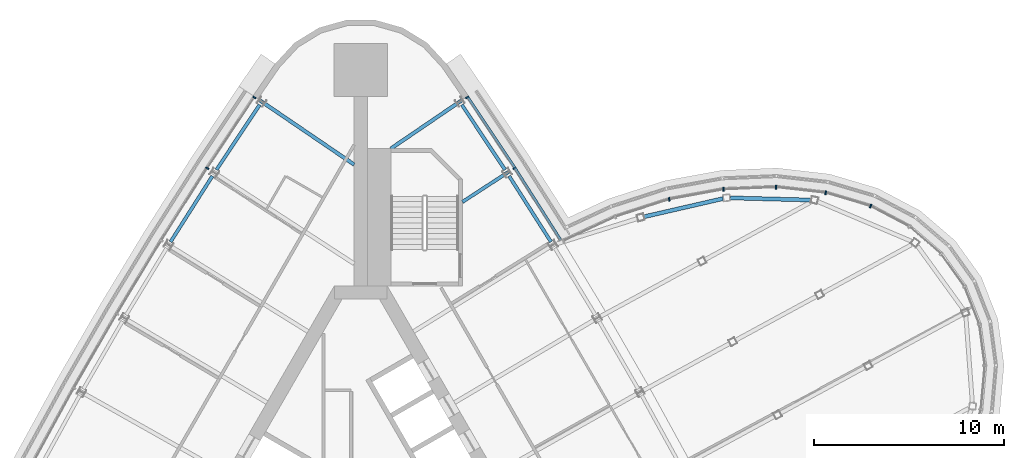
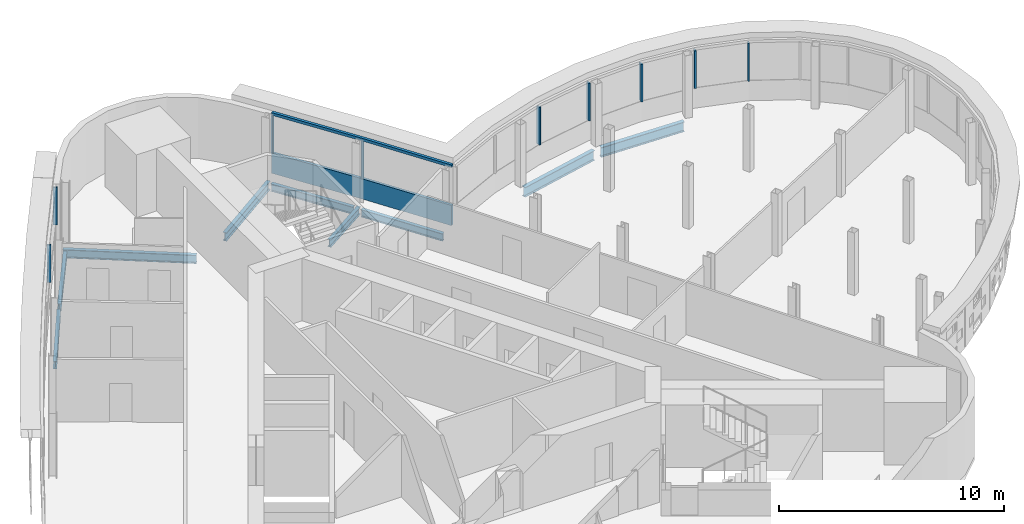
# One storey, part 8 of 15: 11 members, 9 beams, 3 elements without a shape of their own.
"""IFC4 building model written with IfcOpenShell, lengths in metres."""

from ifc_helpers import new_model, si_unit, direction, frame, origin, origin_2d, place, context, subcontext, project, spatial, polyline, rectangle, i_section, outline, extrude, material, material_profile, profile_set, type_object, element, aggregate, save


model = new_model("IFC4")

# Units and contexts
model_context = context("Model", 3, precision=1e-05, world=origin(), true_north=direction((0.0, 1.0)))
body_context = subcontext(model_context, "Body", "Model", "MODEL_VIEW")
ifc_project = project(units=[si_unit("LENGTHUNIT", "METRE"), si_unit("AREAUNIT", "SQUARE_METRE"), si_unit("VOLUMEUNIT", "CUBIC_METRE"), si_unit("PLANEANGLEUNIT", "RADIAN"), si_unit("MASSUNIT", "GRAM", prefix="KILO")], contexts=[model_context])

# Site, building, storey
site_placement = place(None, origin())
site = spatial("IfcSite", under=ifc_project, at=site_placement, CompositionType="ELEMENT")
building_placement = place(site_placement, origin())
building = spatial("IfcBuilding", under=site, at=building_placement, Name="Noor Cloister Tower", CompositionType="ELEMENT")
storey_placement = place(building_placement, frame((0.0, 0.0, 177.89990234375)))
storey = spatial("IfcBuildingStorey", under=building, at=storey_placement, Name="L45", CompositionType="ELEMENT", Elevation=177.89990234375)

# Curtain wall, member
ifc_material_1 = material(Name="Aluminium 6063-T6 anodised", Category="aluminium")
curtain_wall_type_1 = type_object("IfcCurtainWallType", Name="Ribbon curtain wall, upper tower CW5", PredefinedType="NOTDEFINED", material=ifc_material_1)
curtain_wall_1_placement = place(storey_placement, origin())
curtain_wall_1 = element("IfcCurtainWall", 1, at=curtain_wall_1_placement, inside=storey, type_object=curtain_wall_type_1, Name="CW5 L45 NE run 4", PredefinedType="NOTDEFINED")
ifc_material_2 = material(Name="Aluminium 6063-T6 anodised", Category="aluminium")
member_type_1 = type_object("IfcMemberType", Name="Head transom CW5 150", PredefinedType="USERDEFINED", material=ifc_material_2)
member_1_placement = place(storey_placement, frame((0.0, 0.0, 3.150146484375)))
member_1 = element("IfcMember", 2, at=member_1_placement, type_object=member_type_1, Name="CW5 head transom", ObjectType="TRANSOM", PredefinedType="USERDEFINED", context=body_context, shape_type="SweptSolid", body=[
    extrude(outline(polyline([(10.55810546875, 13.888671875), (8.145263671875, 17.68701171875), (5.65234375, 21.43310546875), (5.53564453125, 21.355712890625), (8.02783203125, 17.610595703125), (10.43994140625, 13.8134765625), (10.55810546875, 13.888671875)])), origin(), (0.0, 0.0, 1.0), 0.14990234375),
])

# Curtain wall, members
ifc_material_3 = material(Name="Aluminium 6063-T6 anodised", Category="aluminium")
curtain_wall_type_2 = type_object("IfcCurtainWallType", Name="Sky bar curtain wall, lower bars CW2", PredefinedType="NOTDEFINED", material=ifc_material_3)
curtain_wall_2_placement = place(storey_placement, origin())
curtain_wall_2 = element("IfcCurtainWall", 3, at=curtain_wall_2_placement, inside=storey, type_object=curtain_wall_type_2, Name="CW2 L45 NE sky bar run 3", PredefinedType="NOTDEFINED")
ifc_material_4 = material(Name="Aluminium 6063-T6 anodised", Category="aluminium")
ifc_material_profile_1 = material_profile(ifc_material_4, rectangle(XDim=0.199951171875, YDim=0.080078125, at=origin_2d()), Name="200 x 80 mullion")
ifc_profile_set_1 = profile_set([ifc_material_profile_1], Name="Aluminium 6063-T6 anodised")
member_type_2 = type_object("IfcMemberType", Name="Mullion CW2 80 x 200", PredefinedType="MULLION", material=ifc_profile_set_1)
member_2_placement = place(storey_placement, frame((26.764404296875, 15.64208984375, 1.10009765625), z_axis=(0.0, 0.0, 1.0), x_axis=(-0.377483553178, -0.926016288777, 0.0)))
member_2 = element("IfcMember", 4, at=member_2_placement, type_object=member_type_2, Name="CW2 mullion 13", PredefinedType="MULLION", context=body_context, shape_type="SweptSolid", body=[
    extrude(rectangle(XDim=0.199951171875, YDim=0.080078125, at=origin_2d()), origin(), (0.0, 0.0, 1.0), 2.050048828125),
])
member_3_placement = place(storey_placement, frame((24.408935546875, 16.34033203125, 1.10009765625), z_axis=(0.0, 0.0, 1.0), x_axis=(-0.199522183115, -0.979893309726, 0.0)))
member_3 = element("IfcMember", 5, at=member_3_placement, type_object=member_type_2, Name="CW2 mullion 14", PredefinedType="MULLION", context=body_context, shape_type="SweptSolid", body=[
    extrude(rectangle(XDim=0.199951171875, YDim=0.080078125, at=origin_2d()), origin(), (0.0, 0.0, 1.0), 2.050048828125),
])
member_4_placement = place(storey_placement, frame((21.80859375, 16.636962890625, 1.10009765625), z_axis=(0.0, 0.0, 1.0), x_axis=(-0.036049834228, -0.999349993472, 0.0)))
member_4 = element("IfcMember", 6, at=member_4_placement, type_object=member_type_2, Name="CW2 mullion 15", PredefinedType="MULLION", context=body_context, shape_type="SweptSolid", body=[
    extrude(rectangle(XDim=0.199951171875, YDim=0.080078125, at=origin_2d()), origin(), (0.0, 0.0, 1.0), 2.050048828125),
])
member_5_placement = place(storey_placement, frame((19.042236328125, 16.52197265625, 1.10009765625), z_axis=(0.0, 0.0, 1.0), x_axis=(0.111408070069, -0.993774744056, 0.0)))
member_5 = element("IfcMember", 7, at=member_5_placement, type_object=member_type_2, Name="CW2 mullion 16", PredefinedType="MULLION", context=body_context, shape_type="SweptSolid", body=[
    extrude(rectangle(XDim=0.199951171875, YDim=0.080078125, at=origin_2d()), origin(), (0.0, 0.0, 1.0), 2.050048828125),
])
member_6_placement = place(storey_placement, frame((16.195068359375, 15.998779296875, 1.10009765625), z_axis=(0.0, 0.0, 1.0), x_axis=(0.244410452656, -0.969671867506, 0.0)))
member_6 = element("IfcMember", 8, at=member_6_placement, type_object=member_type_2, Name="CW2 mullion 17", PredefinedType="MULLION", context=body_context, shape_type="SweptSolid", body=[
    extrude(rectangle(XDim=0.199951171875, YDim=0.080078125, at=origin_2d()), origin(), (0.0, 0.0, 1.0), 2.050048828125),
])
aggregate(curtain_wall_2, [member_2, member_3, member_4, member_5, member_6])

curtain_wall_3_placement = place(storey_placement, origin())
curtain_wall_3 = element("IfcCurtainWall", 9, at=curtain_wall_3_placement, inside=storey, type_object=curtain_wall_type_1, Name="CW5 L45 NW run 1", PredefinedType="NOTDEFINED")
ifc_material_5 = material(Name="Aluminium 6063-T6 anodised", Category="aluminium")
ifc_material_profile_2 = material_profile(ifc_material_5, rectangle(XDim=0.179931640625, YDim=0.070068359375, at=origin_2d()), Name="180 x 70 mullion")
ifc_profile_set_2 = profile_set([ifc_material_profile_2], Name="Aluminium 6063-T6 anodised")
member_type_3 = type_object("IfcMemberType", Name="Mullion CW5 70 x 180", PredefinedType="MULLION", material=ifc_profile_set_2)
member_7_placement = place(storey_placement, frame((-5.58837890625, 21.3486328125, 1.10009765625), z_axis=(0.0, 0.0, 1.0), x_axis=(0.832526508142, -0.553985210309, 0.0)))
member_7 = element("IfcMember", 10, at=member_7_placement, type_object=member_type_3, Name="CW5 mullion 1", PredefinedType="MULLION", context=body_context, shape_type="SweptSolid", body=[
    extrude(rectangle(XDim=0.179931640625, YDim=0.070068359375, at=origin_2d()), origin(), (0.0, 0.0, 1.0), 2.050048828125),
])
member_8_placement = place(storey_placement, frame((-8.061279296875, 17.63232421875, 1.10009765625), z_axis=(0.0, 0.0, 1.0), x_axis=(0.838346853928, -0.54513718687, 0.0)))
member_8 = element("IfcMember", 11, at=member_8_placement, type_object=member_type_3, Name="CW5 mullion 2", PredefinedType="MULLION", context=body_context, shape_type="SweptSolid", body=[
    extrude(rectangle(XDim=0.179931640625, YDim=0.070068359375, at=origin_2d()), origin(), (0.0, 0.0, 1.0), 2.050048828125),
])
aggregate(curtain_wall_3, [member_7, member_8])

# Member
member_9_placement = place(storey_placement, frame((8.061279296875, 17.63232421875, 1.10009765625), z_axis=(0.0, 0.0, 1.0), x_axis=(-0.838346853928, -0.54513718687, 0.0)))
member_9 = element("IfcMember", 12, at=member_9_placement, type_object=member_type_3, Name="CW5 mullion 2", PredefinedType="MULLION", context=body_context, shape_type="SweptSolid", body=[
    extrude(rectangle(XDim=0.179931640625, YDim=0.070068359375, at=origin_2d()), origin(), (0.0, 0.0, 1.0), 2.050048828125),
])

member_10_placement = place(storey_placement, frame((5.58837890625, 21.3486328125, 1.10009765625), z_axis=(0.0, 0.0, 1.0), x_axis=(-0.832526508142, -0.553985210309, 0.0)))
member_10 = element("IfcMember", 13, at=member_10_placement, type_object=member_type_3, Name="CW5 mullion 3", PredefinedType="MULLION", context=body_context, shape_type="SweptSolid", body=[
    extrude(rectangle(XDim=0.179931640625, YDim=0.070068359375, at=origin_2d()), origin(), (0.0, 0.0, 1.0), 2.050048828125),
])

# Beams
ifc_material_6 = material(Name="Steel ASTM A992 Gr 50", Category="steel")
ifc_material_profile_3 = material_profile(ifc_material_6, i_section(OverallWidth=0.208984375, OverallDepth=0.532958984375, WebThickness=0.01025390625, FlangeThickness=0.015625, FilletRadius=0.0126953125, at=origin_2d()), Name="W530x92")
ifc_profile_set_3 = profile_set([ifc_material_profile_3], Name="Steel ASTM A992 Gr 50")
beam_type_1 = type_object("IfcBeamType", Name="Pod floor beam W530x92", PredefinedType="BEAM", material=ifc_profile_set_3)
beam_1_placement = place(storey_placement, frame((23.6162109375, 15.9599609375, -0.46630859375), z_axis=(-0.999639850526, 0.026835969142, 0.0), x_axis=(-0.026835969142, -0.999639850526, 0.0)))
element("IfcBeam", 14, at=beam_1_placement, inside=storey, type_object=beam_type_1, Name="Pod floor beam 3 L45 ring 8", PredefinedType="BEAM", context=body_context, shape_type="SweptSolid", body=[
    extrude(i_section(OverallWidth=0.208984375, OverallDepth=0.532958984375, WebThickness=0.01025390625, FlangeThickness=0.015625, FilletRadius=0.0126953125, at=origin_2d()), origin(), (0.0, 0.0, 1.0), 4.22119140625),
])
beam_2_placement = place(storey_placement, frame((19.01611328125, 16.03515625, -0.46630859375), z_axis=(-0.974608794523, -0.223914487337, 0.0), x_axis=(0.223914487337, -0.974608794523, 0.0)))
element("IfcBeam", 15, at=beam_2_placement, inside=storey, type_object=beam_type_1, Name="Pod floor beam 3 L45 ring 9", PredefinedType="BEAM", context=body_context, shape_type="SweptSolid", body=[
    extrude(i_section(OverallWidth=0.208984375, OverallDepth=0.532958984375, WebThickness=0.01025390625, FlangeThickness=0.015625, FilletRadius=0.0126953125, at=origin_2d()), origin(), (0.0, 0.0, 1.0), 4.245849609375),
])
ifc_material_7 = material(Name="Steel ASTM A992 Gr 50", Category="steel")
ifc_material_profile_4 = material_profile(ifc_material_7, i_section(OverallWidth=0.177978515625, OverallDepth=0.406005859375, WebThickness=0.0078125, FlangeThickness=0.0126953125, FilletRadius=0.01025390625, at=origin_2d()), Name="W410x60")
ifc_profile_set_4 = profile_set([ifc_material_profile_4], Name="Steel ASTM A992 Gr 50")
beam_type_2 = type_object("IfcBeamType", Name="Radial beam W410x60", PredefinedType="BEAM", material=ifc_profile_set_4)
beam_3_placement = place(storey_placement, frame((7.778076171875, 17.4482421875, -0.40283203125), z_axis=(-0.838351702395, -0.545129730516, 0.0), x_axis=(0.545129730516, -0.838351702395, 0.0)))
element("IfcBeam", 16, at=beam_3_placement, inside=storey, type_object=beam_type_2, Name="Radial beam NE 07 L45", PredefinedType="BEAM", context=body_context, shape_type="SweptSolid", body=[
    extrude(i_section(OverallWidth=0.177978515625, OverallDepth=0.406005859375, WebThickness=0.0078125, FlangeThickness=0.0126953125, FilletRadius=0.01025390625, at=origin_2d()), origin(), (0.0, 0.0, 1.0), 2.913330078125),
])
ifc_material_8 = material(Name="Steel ASTM A992 Gr 50", Category="steel")
ifc_material_profile_5 = material_profile(ifc_material_8, i_section(OverallWidth=0.19091796875, OverallDepth=0.45703125, WebThickness=0.009033203125, FlangeThickness=0.014404296875, FilletRadius=0.01025390625, at=origin_2d()), Name="W460x74")
ifc_profile_set_5 = profile_set([ifc_material_profile_5], Name="Steel ASTM A992 Gr 50")
beam_type_3 = type_object("IfcBeamType", Name="Radial beam W460x74", PredefinedType="BEAM", material=ifc_profile_set_5)
beam_4_placement = place(storey_placement, frame((-5.290283203125, 21.186767578125, -0.428466796875), z_axis=(0.826599651919, -0.562790383222, 0.0), x_axis=(0.562790383222, 0.826599651919, 0.0)))
element("IfcBeam", 17, at=beam_4_placement, inside=storey, type_object=beam_type_3, Name="Radial beam NW 01 L45", PredefinedType="BEAM", context=body_context, shape_type="SweptSolid", body=[
    extrude(i_section(OverallWidth=0.19091796875, OverallDepth=0.45703125, WebThickness=0.009033203125, FlangeThickness=0.014404296875, FilletRadius=0.01025390625, at=origin_2d()), origin(), (0.0, 0.0, 1.0), 5.9765625),
])
beam_5_placement = place(storey_placement, frame((5.290283203125, 21.186767578125, -0.428466796875), z_axis=(-0.826614296201, -0.562768873798, 0.0), x_axis=(0.562768873798, -0.826614296201, 0.0)))
element("IfcBeam", 18, at=beam_5_placement, inside=storey, type_object=beam_type_3, Name="Radial beam NE 08 L45", PredefinedType="BEAM", context=body_context, shape_type="SweptSolid", body=[
    extrude(i_section(OverallWidth=0.19091796875, OverallDepth=0.45703125, WebThickness=0.009033203125, FlangeThickness=0.014404296875, FilletRadius=0.01025390625, at=origin_2d()), origin(), (0.0, 0.0, 1.0), 4.49609375),
])

# Member
ifc_material_9 = material(Name="Aluminium 6063-T6 anodised", Category="aluminium")
member_type_4 = type_object("IfcMemberType", Name="Sill transom CW5 1100", PredefinedType="USERDEFINED", material=ifc_material_9)
member_11_placement = place(storey_placement, origin())
member_11 = element("IfcMember", 19, at=member_11_placement, type_object=member_type_4, Name="CW5 sill transom", ObjectType="TRANSOM", PredefinedType="USERDEFINED", context=body_context, shape_type="SweptSolid", body=[
    extrude(outline(polyline([(10.55810546875, 13.888671875), (8.145263671875, 17.68701171875), (5.65234375, 21.43310546875), (5.53564453125, 21.355712890625), (8.02783203125, 17.610595703125), (10.43994140625, 13.8134765625), (10.55810546875, 13.888671875)])), origin(), (0.0, 0.0, 1.0), 1.10009765625),
])

aggregate(curtain_wall_1, [member_9, member_10, member_11, member_1])

# Beams
ifc_material_10 = material(Name="Steel ASTM A992 Gr 50", Category="steel")
ifc_material_profile_6 = material_profile(ifc_material_10, i_section(OverallWidth=0.177978515625, OverallDepth=0.406005859375, WebThickness=0.0078125, FlangeThickness=0.0126953125, FilletRadius=0.01025390625, at=origin_2d()), Name="W410x60")
ifc_profile_set_6 = profile_set([ifc_material_profile_6], Name="Steel ASTM A992 Gr 50")
beam_type_4 = type_object("IfcBeamType", Name="Spandrel beam W410x60", PredefinedType="SPANDREL", material=ifc_profile_set_6)
for number, where, z_axis, x_axis, name in (
    (20, (-5.306884765625, 20.959716796875, -0.40283203125), (-0.553956901261, -0.832545345038, 0.0), (0.832545345038, -0.553956901261, 0.0), "Spandrel beam NW 01 L45"),
    (21, (-7.789794921875, 17.220703125, -0.40283203125), (-0.536207800432, -0.844086011468, 0.0), (0.844086011468, -0.536207800432, 0.0), "Spandrel beam NW 02 L45"),
    (22, (9.985107421875, 13.764892578125, -0.40283203125), (-0.536207800432, 0.844086011468, 0.0), (-0.844086011468, -0.536207800432, 0.0), "Spandrel beam NE 06 L45"),
    (23, (7.574951171875, 17.551025390625, -0.40283203125), (-0.553956901261, 0.832545345038, 0.0), (-0.832545345038, -0.553956901261, 0.0), "Spandrel beam NE 07 L45"),
):
    element("IfcBeam", number, at=place(storey_placement, frame(where, z_axis=z_axis, x_axis=x_axis)), inside=storey, type_object=beam_type_4, Name=name, PredefinedType="SPANDREL", context=body_context, shape_type="SweptSolid", body=[
        extrude(i_section(OverallWidth=0.177978515625, OverallDepth=0.406005859375, WebThickness=0.0078125, FlangeThickness=0.0126953125, FilletRadius=0.01025390625, at=origin_2d()), origin(), (0.0, 0.0, 1.0), 4.09423828125),
    ])

save(model, "model.ifc")
